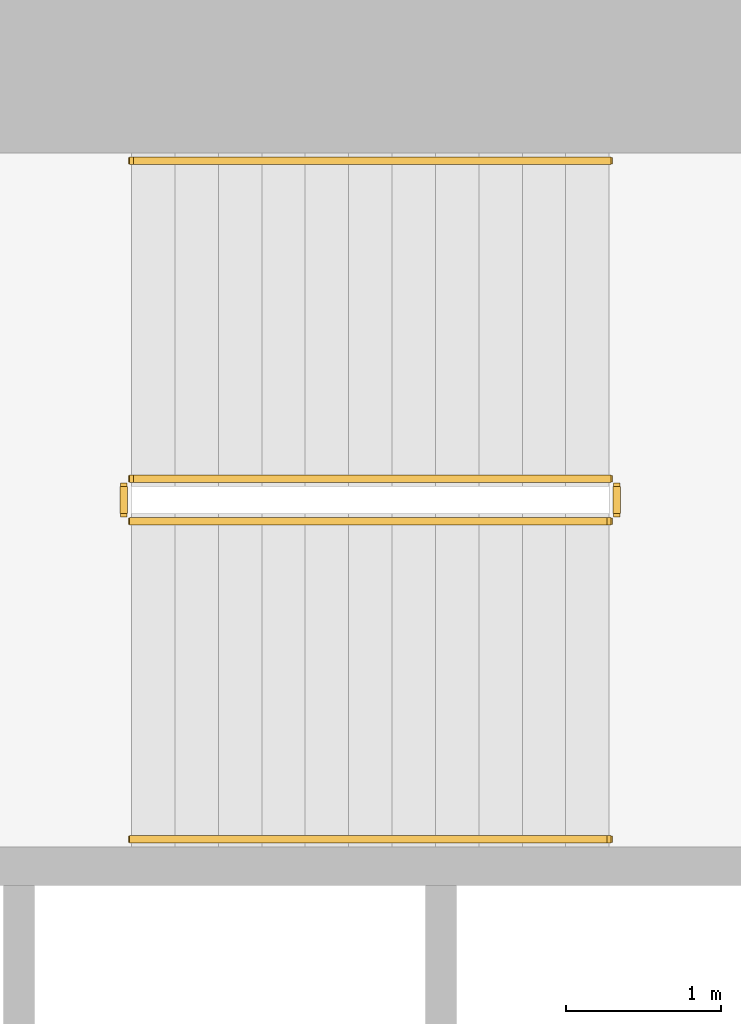
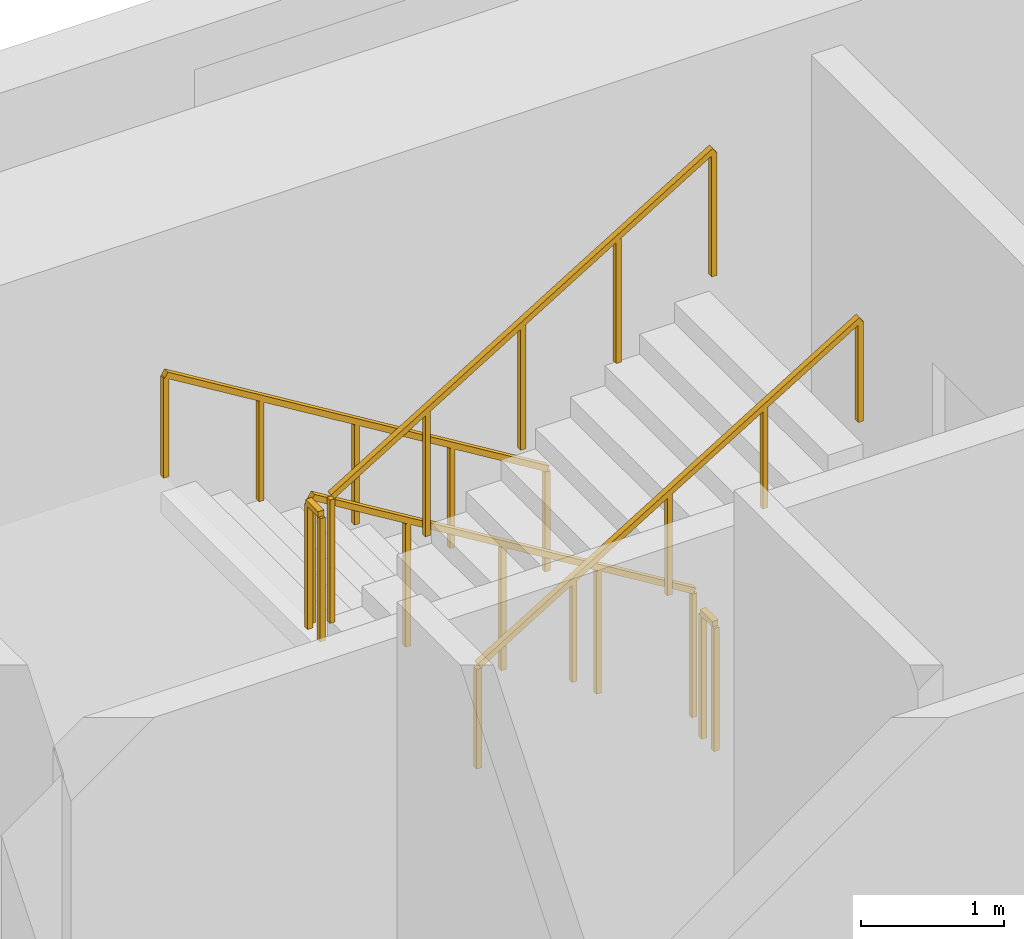
# One storey, part 13 of 14: 6 railings.
"""IFC4 building model written with IfcOpenShell, lengths in metres."""

import ifcopenshell
import ifcopenshell.guid

model = None  # the IFC model being written
_history = None  # IfcOwnerHistory: only IFC2X3 demands one
_inside = {}  # id of a spatial element -> (the spatial element, [elements in it])
_under = {}  # id of a project, library or spatial element -> (it, [spatial elements below it])
_declared = {}  # id of a project -> (the project, [libraries it declares])
_typed = {}  # id of a type object -> (the type object, [elements of that type])
_made_of = {}  # id of a material, layer set ... -> (it, [elements and type objects made of it])


def new_model(schema):
    """Start an empty IFC model of exactly this schema.

    Asked for "IFC4X3", IfcOpenShell would pick the latest addendum, in which some entities
    have other attributes; the version numbers below select the first issue.
    IFC2X3 requires an IfcOwnerHistory on every rooted entity: one is made here for all.
    """
    global model, _history
    if schema == "IFC4X3":
        model = ifcopenshell.file(schema_version=(4, 3, 0, 0))
    else:
        model = ifcopenshell.file(schema=schema)
    _inside.clear()
    _under.clear()
    _declared.clear()
    _typed.clear()
    _made_of.clear()
    _history = None
    if model.schema == "IFC2X3":
        org = make("IfcOrganization", Name="unknown")
        user = make(
            "IfcPersonAndOrganization",
            ThePerson=make("IfcPerson", FamilyName="unknown"),
            TheOrganization=org,
        )
        app = make(
            "IfcApplication",
            ApplicationDeveloper=org,
            Version="unknown",
            ApplicationFullName="unknown",
            ApplicationIdentifier="unknown",
        )
        _history = make(
            "IfcOwnerHistory",
            OwningUser=user,
            OwningApplication=app,
            ChangeAction="ADDED",
            CreationDate=0,
        )
    return model


def make(cls, **values):
    """One entity of the class cls with the attributes given. An attribute that is None is left unset."""
    return model.create_entity(
        cls, **{name: value for name, value in values.items() if value is not None}
    )


def rooted(cls, **values):
    """An entity with a GlobalId (a new one), such as an element, a storey or a relation."""
    return make(cls, GlobalId=ifcopenshell.guid.new(), OwnerHistory=_history, **values)


def si_unit(unit_type, name, prefix=None):
    """IfcSIUnit, for example si_unit("LENGTHUNIT", "METRE", prefix="MILLI")."""
    return make("IfcSIUnit", UnitType=unit_type, Prefix=prefix, Name=name)


def assignment(units):
    """IfcUnitAssignment: the units of a project."""
    return None if units is None else make("IfcUnitAssignment", Units=units)


def point(xyz):
    """IfcCartesianPoint."""
    return None if xyz is None else make("IfcCartesianPoint", Coordinates=xyz)


def direction(xyz):
    """IfcDirection."""
    return None if xyz is None else make("IfcDirection", DirectionRatios=xyz)


def frame(location, z_axis=None, x_axis=None):
    """IfcAxis2Placement3D, a coordinate frame: its origin and axes. An axis left out is left unset."""
    return make(
        "IfcAxis2Placement3D",
        Location=point(location),
        Axis=direction(z_axis),
        RefDirection=direction(x_axis),
    )


def frame_2d(location, x_axis=None):
    """IfcAxis2Placement2D, a coordinate frame in the plane: its origin and x axis."""
    return make(
        "IfcAxis2Placement2D", Location=point(location), RefDirection=direction(x_axis)
    )


def origin():
    """The frame at (0, 0, 0) with its axes left unset."""
    return frame((0.0, 0.0, 0.0))


def origin_2d():
    """The frame at (0, 0) in the plane with its x axis left unset."""
    return frame_2d((0.0, 0.0))


def place(relative_to, where):
    """IfcLocalPlacement: puts the frame where relative to a parent placement (None: the world)."""
    return make(
        "IfcLocalPlacement", PlacementRelTo=relative_to, RelativePlacement=where
    )


def context(
    kind, dimensions, precision=None, world=None, true_north=None, identifier=None
):
    """IfcGeometricRepresentationContext, for example the 3D "Model" context."""
    return make(
        "IfcGeometricRepresentationContext",
        ContextIdentifier=identifier,
        ContextType=kind,
        CoordinateSpaceDimension=dimensions,
        Precision=precision,
        WorldCoordinateSystem=world,
        TrueNorth=true_north,
    )


def subcontext(parent, identifier, kind, view, scale=None):
    """IfcGeometricRepresentationSubContext, for example "Body" below "Model"."""
    return make(
        "IfcGeometricRepresentationSubContext",
        ContextIdentifier=identifier,
        ContextType=kind,
        ParentContext=parent,
        TargetScale=scale,
        TargetView=view,
    )


def project(units=None, contexts=None):
    """IfcProject with its units and contexts."""
    return rooted(
        "IfcProject",
        Name="project",
        RepresentationContexts=contexts,
        UnitsInContext=assignment(units),
    )


def spatial(cls, under=None, at=None, **own):
    """A site, building, storey or space (cls), placed at a placement, below another one or the project."""
    s = rooted(cls, ObjectPlacement=at, **own)
    if under is not None:
        _under.setdefault(under.id(), (under, []))[1].append(s)
    return s


def profile(cls, at=None, kind="AREA", **sizes):
    """A parametric profile (cls). Its sizes go by their IFC names, for example OverallWidth=200.0."""
    return make(cls, ProfileType=kind, Position=at, **sizes)


def rectangle(**sizes):
    """IfcRectangleProfileDef."""
    return profile("IfcRectangleProfileDef", **sizes)


def extrude(swept, where, along, depth):
    """IfcExtrudedAreaSolid: the profile swept, set in the frame where, extruded along a direction by depth."""
    return make(
        "IfcExtrudedAreaSolid",
        SweptArea=swept,
        Position=where,
        ExtrudedDirection=direction(along),
        Depth=depth,
    )


def shape(context_of_items, identifier, shape_type, items):
    """IfcShapeRepresentation: the items that make up one representation, for example the "Body"."""
    return make(
        "IfcShapeRepresentation",
        ContextOfItems=context_of_items,
        RepresentationIdentifier=identifier,
        RepresentationType=shape_type,
        Items=items,
    )


def material(Name=None, Category=None):
    """IfcMaterial."""
    return make("IfcMaterial", Name=Name, Category=Category)


def made_of(thing, what):
    """Note that an element or type object is made of a material, layer set ...; save() writes the relation."""
    if what is not None:
        _made_of.setdefault(what.id(), (what, []))[1].append(thing)
    return thing


def type_object(cls, material=None, **own):
    """A type object (cls), such as IfcWallType, which elements share."""
    return made_of(rooted(cls, **own), material)


def element(
    cls,
    number,
    at=None,
    inside=None,
    cuts=None,
    type_object=None,
    material=None,
    context=None,
    identifier="Body",
    shape_type=None,
    held_by="IfcProductDefinitionShape",
    body=None,
    shapes=None,
    **own,
):
    """One element of the class cls, such as IfcWall. Its Tag is "e" and its number.

    at: its placement. inside: the storey or other place that contains it. cuts: it is an
    opening in that element (IfcRelVoidsElement). A single representation is given by context,
    identifier, shape_type and body (its items); several are given by shapes. held_by: the class
    of the entity that holds the representations. save() writes the other relations.
    """
    e = rooted(cls, Tag="e%d" % number, ObjectPlacement=at, **own)
    if body is not None:
        shapes = [shape(context, identifier, shape_type, body)]
    if shapes is not None:
        e.Representation = make(held_by, Representations=shapes)
    if inside is not None:
        _inside.setdefault(inside.id(), (inside, []))[1].append(e)
    if cuts is not None:
        rooted(
            "IfcRelVoidsElement", RelatingBuildingElement=cuts, RelatedOpeningElement=e
        )
    if type_object is not None:
        _typed.setdefault(type_object.id(), (type_object, []))[1].append(e)
    return made_of(e, material)


def aggregate(whole, parts):
    """IfcRelAggregates: a whole, such as a stair, and the parts it consists of."""
    return rooted("IfcRelAggregates", RelatingObject=whole, RelatedObjects=parts)


def save(model, path):
    """Write the relations noted so far, then the file.

    IfcRelAggregates (storeys below a building ...), IfcRelContainedInSpatialStructure (elements
    in a storey), IfcRelDefinesByType, IfcRelAssociatesMaterial and IfcRelDeclares: one each for
    every whole, place, type object, material and project.
    """
    for whole, parts in _under.values():
        aggregate(whole, parts)
    for where, things in _inside.values():
        rooted(
            "IfcRelContainedInSpatialStructure",
            RelatedElements=things,
            RelatingStructure=where,
        )
    for kind, things in _typed.values():
        rooted("IfcRelDefinesByType", RelatedObjects=things, RelatingType=kind)
    for what, things in _made_of.values():
        rooted("IfcRelAssociatesMaterial", RelatedObjects=things, RelatingMaterial=what)
    for by, libraries in _declared.values():
        rooted("IfcRelDeclares", RelatingContext=by, RelatedDefinitions=libraries)
    model.write(path)


model = new_model("IFC4")

# Units and contexts
model_context = context("Model", 3, precision=1e-05, world=origin(), true_north=direction((0.0, 1.0)))
body_context = subcontext(model_context, "Body", "Model", "MODEL_VIEW")
ifc_project = project(units=[si_unit("LENGTHUNIT", "METRE"), si_unit("AREAUNIT", "SQUARE_METRE"), si_unit("VOLUMEUNIT", "CUBIC_METRE"), si_unit("PLANEANGLEUNIT", "RADIAN"), si_unit("MASSUNIT", "GRAM", prefix="KILO")], contexts=[model_context])

# Site, building, storey
site_placement = place(None, origin())
site = spatial("IfcSite", under=ifc_project, at=site_placement, CompositionType="ELEMENT")
building_placement = place(site_placement, origin())
building = spatial("IfcBuilding", under=site, at=building_placement, Name="Cypress Arch Tower", CompositionType="ELEMENT")
storey_placement = place(building_placement, frame((0.0, 0.0, 300.800048828125)))
storey = spatial("IfcBuildingStorey", under=building, at=storey_placement, Name="L68", CompositionType="ELEMENT", Elevation=300.800048828125)

# Railings
ifc_material_1 = material(Name="Black powder-coated steel square bar 48 mm", Category="steel")
railing_type_1 = type_object("IfcRailingType", Name="Stair handrail HR1", PredefinedType="HANDRAIL", material=ifc_material_1)
railing_1_placement = place(storey_placement, frame((-22.27490234375, 14.75, 0.1708984375)))
element("IfcRailing", 1, at=railing_1_placement, inside=storey, type_object=railing_type_1, Name="L68 B stair handrail 1", PredefinedType="HANDRAIL", context=body_context, shape_type="SweptSolid", body=[
    extrude(rectangle(XDim=0.048095703125, YDim=0.048095703125, at=origin_2d()), frame((0.0, 0.0, 0.8759765625), z_axis=(-0.853666305674, 0.0, 0.52082035152), x_axis=(0.0, -1.0, 0.0)), (0.0, 0.0, 1.0), 3.608154296875),
    extrude(rectangle(XDim=0.0419921875, YDim=0.0419921875, at=origin_2d()), origin(), (0.0, 0.0, 1.0), 0.851806640625),
    extrude(rectangle(XDim=0.0419921875, YDim=0.0419921875, at=origin_2d()), frame((-0.77001953125, 0.0, 0.4697265625)), (0.0, 0.0, 1.0), 0.851806640625),
    extrude(rectangle(XDim=0.0419921875, YDim=0.0419921875, at=origin_2d()), frame((-1.5400390625, 0.0, 0.939453125)), (0.0, 0.0, 1.0), 0.851806640625),
    extrude(rectangle(XDim=0.0419921875, YDim=0.0419921875, at=origin_2d()), frame((-2.31005859375, 0.0, 1.409423828125)), (0.0, 0.0, 1.0), 0.851806640625),
    extrude(rectangle(XDim=0.0419921875, YDim=0.0419921875, at=origin_2d()), frame((-3.080078125, 0.0, 1.879150390625)), (0.0, 0.0, 1.0), 0.851806640625),
])
railing_2_placement = place(storey_placement, frame((-25.35498046875, 10.375, 2.220703125)))
element("IfcRailing", 2, at=railing_2_placement, inside=storey, type_object=railing_type_1, Name="L68 B stair handrail 2", PredefinedType="HANDRAIL", context=body_context, shape_type="SweptSolid", body=[
    extrude(rectangle(XDim=0.048095703125, YDim=0.048095703125, at=origin_2d()), frame((0.0, 0.0, 0.8759765625), z_axis=(0.853666305674, 0.0, 0.52082035152), x_axis=(0.0, 1.0, 0.0)), (0.0, 0.0, 1.0), 3.608154296875),
    extrude(rectangle(XDim=0.0419921875, YDim=0.0419921875, at=origin_2d()), origin(), (0.0, 0.0, 1.0), 0.851806640625),
    extrude(rectangle(XDim=0.0419921875, YDim=0.0419921875, at=origin_2d()), frame((0.77001953125, 0.0, 0.4697265625)), (0.0, 0.0, 1.0), 0.851806640625),
    extrude(rectangle(XDim=0.0419921875, YDim=0.0419921875, at=origin_2d()), frame((1.5400390625, 0.0, 0.939453125)), (0.0, 0.0, 1.0), 0.851806640625),
    extrude(rectangle(XDim=0.0419921875, YDim=0.0419921875, at=origin_2d()), frame((2.31005859375, 0.0, 1.409423828125)), (0.0, 0.0, 1.0), 0.851806640625),
    extrude(rectangle(XDim=0.0419921875, YDim=0.0419921875, at=origin_2d()), frame((3.080078125, 0.0, 1.879150390625)), (0.0, 0.0, 1.0), 0.851806640625),
])
ifc_material_2 = material(Name="Black powder-coated steel balusters", Category="steel")
railing_type_2 = type_object("IfcRailingType", Name="Stair well guard G1", PredefinedType="GUARDRAIL", material=ifc_material_2)
railing_3_placement = place(storey_placement, frame((-22.27490234375, 12.699951171875, 0.1708984375)))
element("IfcRailing", 3, at=railing_3_placement, inside=storey, type_object=railing_type_2, Name="L68 B stair guard 1", PredefinedType="GUARDRAIL", context=body_context, shape_type="SweptSolid", body=[
    extrude(rectangle(XDim=0.048095703125, YDim=0.048095703125, at=origin_2d()), frame((0.0, 0.0, 1.076171875), z_axis=(-0.853666305674, 0.0, 0.52082035152), x_axis=(0.0, -1.0, 0.0)), (0.0, 0.0, 1.0), 3.608154296875),
    extrude(rectangle(XDim=0.0419921875, YDim=0.0419921875, at=origin_2d()), origin(), (0.0, 0.0, 1.0), 1.052001953125),
    extrude(rectangle(XDim=0.0419921875, YDim=0.0419921875, at=origin_2d()), frame((-0.77001953125, 0.0, 0.4697265625)), (0.0, 0.0, 1.0), 1.052001953125),
    extrude(rectangle(XDim=0.0419921875, YDim=0.0419921875, at=origin_2d()), frame((-1.5400390625, 0.0, 0.939453125)), (0.0, 0.0, 1.0), 1.052001953125),
    extrude(rectangle(XDim=0.0419921875, YDim=0.0419921875, at=origin_2d()), frame((-2.31005859375, 0.0, 1.409423828125)), (0.0, 0.0, 1.0), 1.052001953125),
    extrude(rectangle(XDim=0.0419921875, YDim=0.0419921875, at=origin_2d()), frame((-3.080078125, 0.0, 1.879150390625)), (0.0, 0.0, 1.0), 1.052001953125),
])
railing_4_placement = place(storey_placement, frame((-25.405029296875, 12.64990234375, 2.050048828125)))
element("IfcRailing", 4, at=railing_4_placement, inside=storey, type_object=railing_type_2, Name="L68 B stair guard 2", PredefinedType="GUARDRAIL", context=body_context, shape_type="SweptSolid", body=[
    extrude(rectangle(XDim=0.048095703125, YDim=0.048095703125, at=origin_2d()), frame((0.0, 0.0, 1.076171875), z_axis=(0.0, -1.0, 0.0), x_axis=(1.0, 0.0, 0.0)), (0.0, 0.0, 1.0), 0.1748046875),
    extrude(rectangle(XDim=0.0419921875, YDim=0.0419921875, at=origin_2d()), origin(), (0.0, 0.0, 1.0), 1.052001953125),
    extrude(rectangle(XDim=0.0419921875, YDim=0.0419921875, at=origin_2d()), frame((0.0, -0.1748046875, 0.0)), (0.0, 0.0, 1.0), 1.052001953125),
])
railing_5_placement = place(storey_placement, frame((-25.35498046875, 12.425048828125, 2.220703125)))
element("IfcRailing", 5, at=railing_5_placement, inside=storey, type_object=railing_type_2, Name="L68 B stair guard 3", PredefinedType="GUARDRAIL", context=body_context, shape_type="SweptSolid", body=[
    extrude(rectangle(XDim=0.048095703125, YDim=0.048095703125, at=origin_2d()), frame((0.0, 0.0, 1.076171875), z_axis=(0.853666305674, 0.0, 0.52082035152), x_axis=(0.0, 1.0, 0.0)), (0.0, 0.0, 1.0), 3.608154296875),
    extrude(rectangle(XDim=0.0419921875, YDim=0.0419921875, at=origin_2d()), origin(), (0.0, 0.0, 1.0), 1.052001953125),
    extrude(rectangle(XDim=0.0419921875, YDim=0.0419921875, at=origin_2d()), frame((0.77001953125, 0.0, 0.4697265625)), (0.0, 0.0, 1.0), 1.052001953125),
    extrude(rectangle(XDim=0.0419921875, YDim=0.0419921875, at=origin_2d()), frame((1.5400390625, 0.0, 0.939453125)), (0.0, 0.0, 1.0), 1.052001953125),
    extrude(rectangle(XDim=0.0419921875, YDim=0.0419921875, at=origin_2d()), frame((2.31005859375, 0.0, 1.409423828125)), (0.0, 0.0, 1.0), 1.052001953125),
    extrude(rectangle(XDim=0.0419921875, YDim=0.0419921875, at=origin_2d()), frame((3.080078125, 0.0, 1.879150390625)), (0.0, 0.0, 1.0), 1.052001953125),
])
railing_6_placement = place(storey_placement, frame((-22.22509765625, 12.64990234375, 0.0)))
element("IfcRailing", 6, at=railing_6_placement, inside=storey, type_object=railing_type_2, Name="L68 B stair guard 4", PredefinedType="GUARDRAIL", context=body_context, shape_type="SweptSolid", body=[
    extrude(rectangle(XDim=0.048095703125, YDim=0.048095703125, at=origin_2d()), frame((0.0, 0.0, 1.076171875), z_axis=(0.0, -1.0, 0.0), x_axis=(1.0, 0.0, 0.0)), (0.0, 0.0, 1.0), 0.1748046875),
    extrude(rectangle(XDim=0.0419921875, YDim=0.0419921875, at=origin_2d()), origin(), (0.0, 0.0, 1.0), 1.052001953125),
    extrude(rectangle(XDim=0.0419921875, YDim=0.0419921875, at=origin_2d()), frame((0.0, -0.1748046875, 0.0)), (0.0, 0.0, 1.0), 1.052001953125),
])

save(model, "model.ifc")
